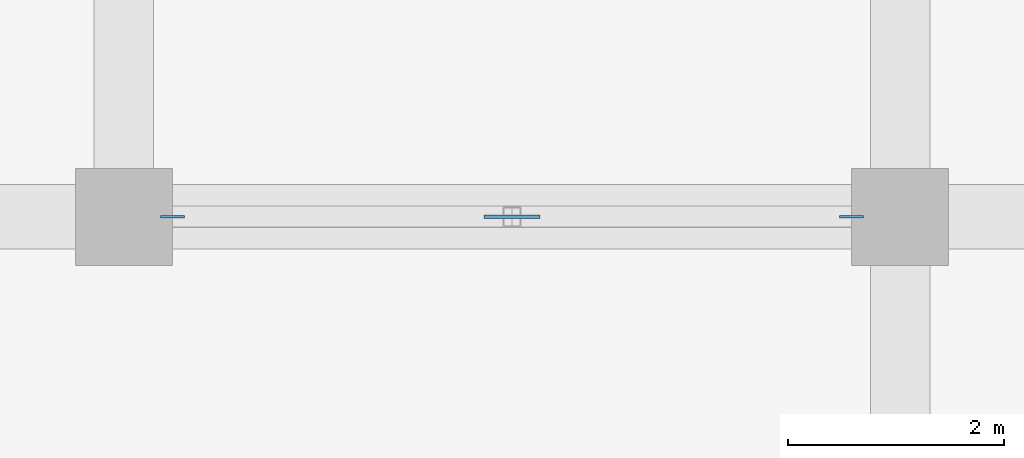
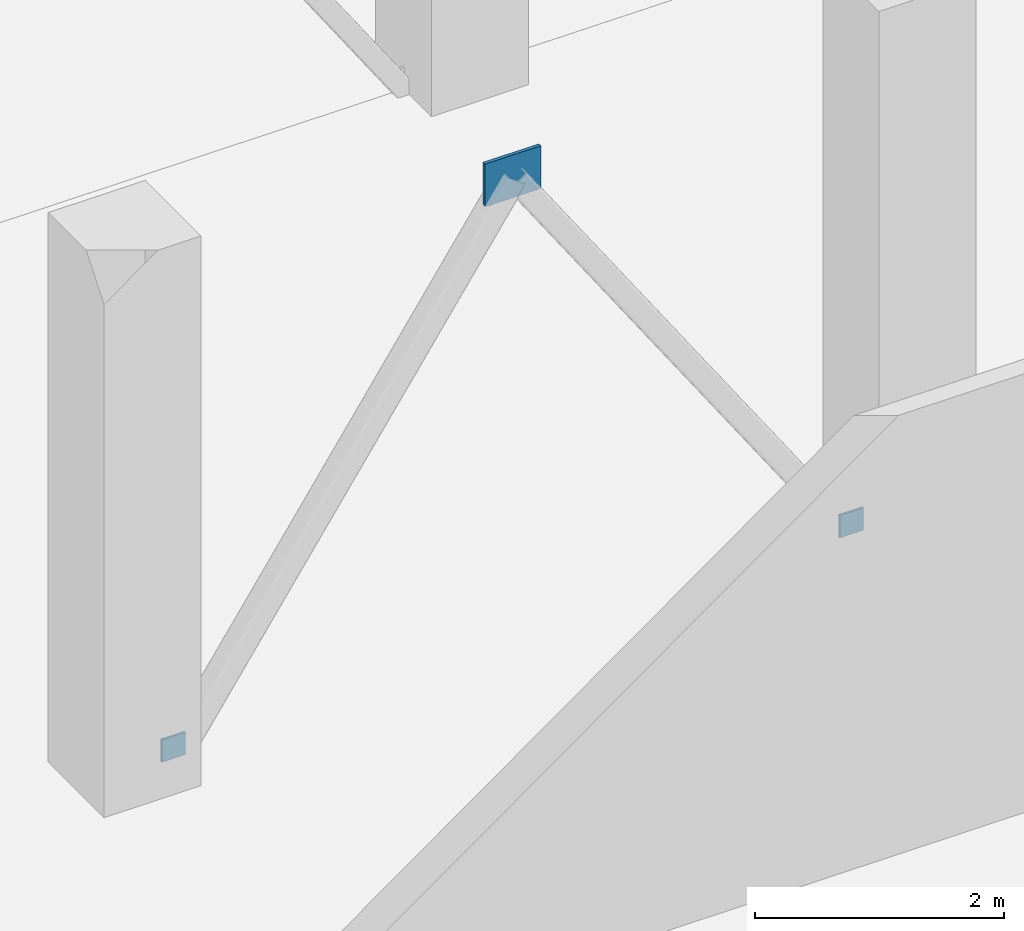
# One storey, part 96 of 137: 3 plates.
"""IFC4 building model written with IfcOpenShell, lengths in metres."""

from ifc_helpers import new_model, si_unit, direction, frame, origin, origin_2d, place, context, subcontext, project, spatial, rectangle, extrude, material, layer, layer_set, type_object, element, save


model = new_model("IFC4")

# Units and contexts
model_context = context("Model", 3, precision=1e-05, world=origin(), true_north=direction((0.0, 1.0)))
body_context = subcontext(model_context, "Body", "Model", "MODEL_VIEW")
ifc_project = project(units=[si_unit("LENGTHUNIT", "METRE"), si_unit("AREAUNIT", "SQUARE_METRE"), si_unit("VOLUMEUNIT", "CUBIC_METRE"), si_unit("PLANEANGLEUNIT", "RADIAN"), si_unit("MASSUNIT", "GRAM", prefix="KILO")], contexts=[model_context])

# Site, building, storey
site_placement = place(None, origin())
site = spatial("IfcSite", under=ifc_project, at=site_placement, CompositionType="ELEMENT")
building_placement = place(site_placement, origin())
building = spatial("IfcBuilding", under=site, at=building_placement, Name="Kalmorath City Hall", CompositionType="ELEMENT")
storey_placement = place(building_placement, origin())
storey = spatial("IfcBuildingStorey", under=building, at=storey_placement, Name="L00", CompositionType="ELEMENT", Elevation=0.0)

# Plates
ifc_material_1 = material(Name="Steel ASTM A572 Grade 50", Category="steel")
ifc_layer_1 = layer(ifc_material_1, 0.02001953125)
ifc_layer_set_1 = layer_set([ifc_layer_1], Name="Steel ASTM A572 Grade 50")
plate_type_1 = type_object("IfcPlateType", Name="Steel HSS end-cap plate 220x220x20", PredefinedType="SHEET", material=ifc_layer_set_1)
for number, where, z_axis, x_axis, name in (
    (1, (14.85009765625, 28.800048828125, 0.0), (0.0, 0.0, 1.0), (1.0, 0.0, 0.0), "L00 brace foot end-plate GP5-2L"),
    (2, (21.14990234375, 28.800048828125, 0.0), (0.0, 0.0, 1.0), (1.0, 0.0, 0.0), "L00 brace foot end-plate GP5-2R"),
):
    element("IfcPlate", number, at=place(storey_placement, frame(where, z_axis=z_axis, x_axis=x_axis)), inside=storey, type_object=plate_type_1, Name=name, PredefinedType="SHEET", context=body_context, shape_type="SweptSolid", body=[
        extrude(rectangle(XDim=0.219970703125, YDim=0.02001953125, at=origin_2d()), origin(), (0.0, 0.0, 1.0), 0.219970703125),
    ])
ifc_material_2 = material(Name="Steel ASTM A572 Grade 50", Category="steel")
ifc_layer_2 = layer(ifc_material_2, 0.031982421875)
ifc_layer_set_2 = layer_set([ifc_layer_2], Name="Steel ASTM A572 Grade 50")
plate_type_2 = type_object("IfcPlateType", Name="Steel brace gusset plate 520x420x32", PredefinedType="USERDEFINED", material=ifc_layer_set_2)
plate_placement = place(storey_placement, frame((18.0, 28.800048828125, 4.41015625), z_axis=(0.0, 0.0, 1.0), x_axis=(1.0, 0.0, 0.0)))
element("IfcPlate", 3, at=plate_placement, inside=storey, type_object=plate_type_2, Name="L00 brace gusset plate GP2-2", ObjectType="GUSSET PLATE", PredefinedType="USERDEFINED", context=body_context, shape_type="SweptSolid", body=[
    extrude(rectangle(XDim=0.52001953125, YDim=0.031982421875, at=origin_2d()), origin(), (0.0, 0.0, 1.0), 0.419921875),
])

save(model, "model.ifc")
